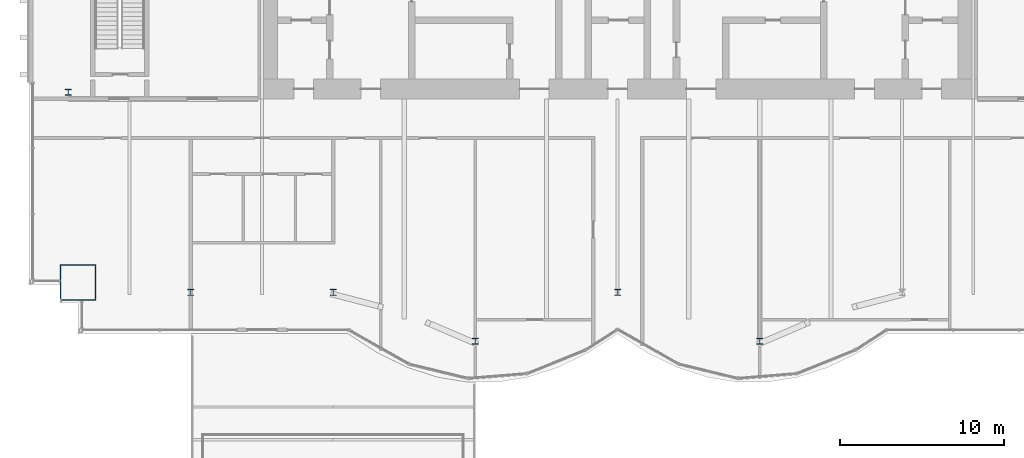
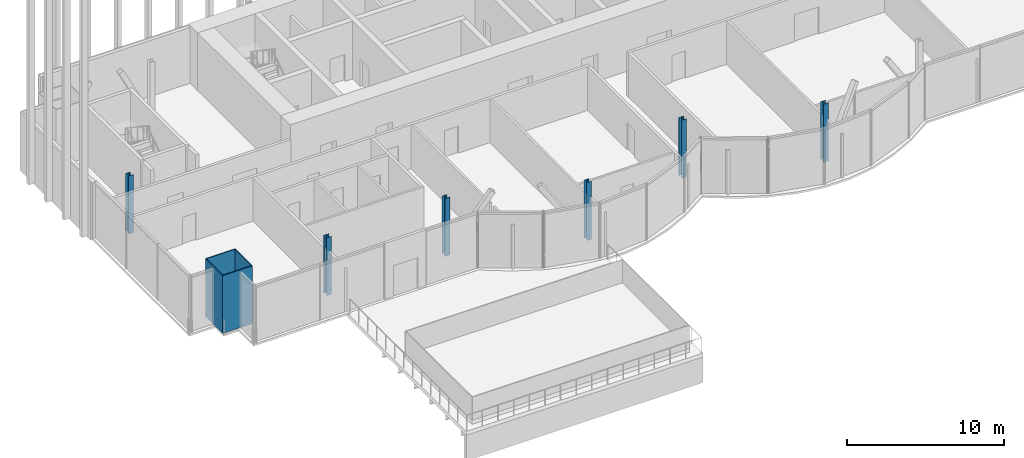
# One storey, part 1 of 22: 7 columns.
"""IFC4 building model written with IfcOpenShell, lengths in metres."""

import ifcopenshell
import ifcopenshell.guid

model = None  # the IFC model being written
_history = None  # IfcOwnerHistory: only IFC2X3 demands one
_inside = {}  # id of a spatial element -> (the spatial element, [elements in it])
_under = {}  # id of a project, library or spatial element -> (it, [spatial elements below it])
_declared = {}  # id of a project -> (the project, [libraries it declares])
_typed = {}  # id of a type object -> (the type object, [elements of that type])
_made_of = {}  # id of a material, layer set ... -> (it, [elements and type objects made of it])


def new_model(schema):
    """Start an empty IFC model of exactly this schema.

    Asked for "IFC4X3", IfcOpenShell would pick the latest addendum, in which some entities
    have other attributes; the version numbers below select the first issue.
    IFC2X3 requires an IfcOwnerHistory on every rooted entity: one is made here for all.
    """
    global model, _history
    if schema == "IFC4X3":
        model = ifcopenshell.file(schema_version=(4, 3, 0, 0))
    else:
        model = ifcopenshell.file(schema=schema)
    _inside.clear()
    _under.clear()
    _declared.clear()
    _typed.clear()
    _made_of.clear()
    _history = None
    if model.schema == "IFC2X3":
        org = make("IfcOrganization", Name="unknown")
        user = make(
            "IfcPersonAndOrganization",
            ThePerson=make("IfcPerson", FamilyName="unknown"),
            TheOrganization=org,
        )
        app = make(
            "IfcApplication",
            ApplicationDeveloper=org,
            Version="unknown",
            ApplicationFullName="unknown",
            ApplicationIdentifier="unknown",
        )
        _history = make(
            "IfcOwnerHistory",
            OwningUser=user,
            OwningApplication=app,
            ChangeAction="ADDED",
            CreationDate=0,
        )
    return model


def make(cls, **values):
    """One entity of the class cls with the attributes given. An attribute that is None is left unset."""
    return model.create_entity(
        cls, **{name: value for name, value in values.items() if value is not None}
    )


def rooted(cls, **values):
    """An entity with a GlobalId (a new one), such as an element, a storey or a relation."""
    return make(cls, GlobalId=ifcopenshell.guid.new(), OwnerHistory=_history, **values)


def si_unit(unit_type, name, prefix=None):
    """IfcSIUnit, for example si_unit("LENGTHUNIT", "METRE", prefix="MILLI")."""
    return make("IfcSIUnit", UnitType=unit_type, Prefix=prefix, Name=name)


def assignment(units):
    """IfcUnitAssignment: the units of a project."""
    return None if units is None else make("IfcUnitAssignment", Units=units)


def point(xyz):
    """IfcCartesianPoint."""
    return None if xyz is None else make("IfcCartesianPoint", Coordinates=xyz)


def direction(xyz):
    """IfcDirection."""
    return None if xyz is None else make("IfcDirection", DirectionRatios=xyz)


def frame(location, z_axis=None, x_axis=None):
    """IfcAxis2Placement3D, a coordinate frame: its origin and axes. An axis left out is left unset."""
    return make(
        "IfcAxis2Placement3D",
        Location=point(location),
        Axis=direction(z_axis),
        RefDirection=direction(x_axis),
    )


def frame_2d(location, x_axis=None):
    """IfcAxis2Placement2D, a coordinate frame in the plane: its origin and x axis."""
    return make(
        "IfcAxis2Placement2D", Location=point(location), RefDirection=direction(x_axis)
    )


def origin():
    """The frame at (0, 0, 0) with its axes left unset."""
    return frame((0.0, 0.0, 0.0))


def origin_2d():
    """The frame at (0, 0) in the plane with its x axis left unset."""
    return frame_2d((0.0, 0.0))


def place(relative_to, where):
    """IfcLocalPlacement: puts the frame where relative to a parent placement (None: the world)."""
    return make(
        "IfcLocalPlacement", PlacementRelTo=relative_to, RelativePlacement=where
    )


def context(
    kind, dimensions, precision=None, world=None, true_north=None, identifier=None
):
    """IfcGeometricRepresentationContext, for example the 3D "Model" context."""
    return make(
        "IfcGeometricRepresentationContext",
        ContextIdentifier=identifier,
        ContextType=kind,
        CoordinateSpaceDimension=dimensions,
        Precision=precision,
        WorldCoordinateSystem=world,
        TrueNorth=true_north,
    )


def subcontext(parent, identifier, kind, view, scale=None):
    """IfcGeometricRepresentationSubContext, for example "Body" below "Model"."""
    return make(
        "IfcGeometricRepresentationSubContext",
        ContextIdentifier=identifier,
        ContextType=kind,
        ParentContext=parent,
        TargetScale=scale,
        TargetView=view,
    )


def project(units=None, contexts=None):
    """IfcProject with its units and contexts."""
    return rooted(
        "IfcProject",
        Name="project",
        RepresentationContexts=contexts,
        UnitsInContext=assignment(units),
    )


def spatial(cls, under=None, at=None, **own):
    """A site, building, storey or space (cls), placed at a placement, below another one or the project."""
    s = rooted(cls, ObjectPlacement=at, **own)
    if under is not None:
        _under.setdefault(under.id(), (under, []))[1].append(s)
    return s


def profile(cls, at=None, kind="AREA", **sizes):
    """A parametric profile (cls). Its sizes go by their IFC names, for example OverallWidth=200.0."""
    return make(cls, ProfileType=kind, Position=at, **sizes)


def hollow_rectangle(**sizes):
    """IfcRectangleHollowProfileDef."""
    return profile("IfcRectangleHollowProfileDef", **sizes)


def i_section(**sizes):
    """IfcIShapeProfileDef."""
    return profile("IfcIShapeProfileDef", **sizes)


def extrude(swept, where, along, depth):
    """IfcExtrudedAreaSolid: the profile swept, set in the frame where, extruded along a direction by depth."""
    return make(
        "IfcExtrudedAreaSolid",
        SweptArea=swept,
        Position=where,
        ExtrudedDirection=direction(along),
        Depth=depth,
    )


def shape(context_of_items, identifier, shape_type, items):
    """IfcShapeRepresentation: the items that make up one representation, for example the "Body"."""
    return make(
        "IfcShapeRepresentation",
        ContextOfItems=context_of_items,
        RepresentationIdentifier=identifier,
        RepresentationType=shape_type,
        Items=items,
    )


def material(Name=None, Category=None):
    """IfcMaterial."""
    return make("IfcMaterial", Name=Name, Category=Category)


def material_profile(
    of_material, cross_section, Name=None, Category=None, Priority=None
):
    """IfcMaterialProfile: a cross section and its material."""
    return make(
        "IfcMaterialProfile",
        Name=Name,
        Material=of_material,
        Profile=cross_section,
        Priority=Priority,
        Category=Category,
    )


def profile_set(profiles, Name=None, composite=None):
    """IfcMaterialProfileSet."""
    return make(
        "IfcMaterialProfileSet",
        Name=Name,
        MaterialProfiles=profiles,
        CompositeProfile=composite,
    )


def made_of(thing, what):
    """Note that an element or type object is made of a material, layer set ...; save() writes the relation."""
    if what is not None:
        _made_of.setdefault(what.id(), (what, []))[1].append(thing)
    return thing


def type_object(cls, material=None, **own):
    """A type object (cls), such as IfcWallType, which elements share."""
    return made_of(rooted(cls, **own), material)


def element(
    cls,
    number,
    at=None,
    inside=None,
    cuts=None,
    type_object=None,
    material=None,
    context=None,
    identifier="Body",
    shape_type=None,
    held_by="IfcProductDefinitionShape",
    body=None,
    shapes=None,
    **own,
):
    """One element of the class cls, such as IfcWall. Its Tag is "e" and its number.

    at: its placement. inside: the storey or other place that contains it. cuts: it is an
    opening in that element (IfcRelVoidsElement). A single representation is given by context,
    identifier, shape_type and body (its items); several are given by shapes. held_by: the class
    of the entity that holds the representations. save() writes the other relations.
    """
    e = rooted(cls, Tag="e%d" % number, ObjectPlacement=at, **own)
    if body is not None:
        shapes = [shape(context, identifier, shape_type, body)]
    if shapes is not None:
        e.Representation = make(held_by, Representations=shapes)
    if inside is not None:
        _inside.setdefault(inside.id(), (inside, []))[1].append(e)
    if cuts is not None:
        rooted(
            "IfcRelVoidsElement", RelatingBuildingElement=cuts, RelatedOpeningElement=e
        )
    if type_object is not None:
        _typed.setdefault(type_object.id(), (type_object, []))[1].append(e)
    return made_of(e, material)


def aggregate(whole, parts):
    """IfcRelAggregates: a whole, such as a stair, and the parts it consists of."""
    return rooted("IfcRelAggregates", RelatingObject=whole, RelatedObjects=parts)


def save(model, path):
    """Write the relations noted so far, then the file.

    IfcRelAggregates (storeys below a building ...), IfcRelContainedInSpatialStructure (elements
    in a storey), IfcRelDefinesByType, IfcRelAssociatesMaterial and IfcRelDeclares: one each for
    every whole, place, type object, material and project.
    """
    for whole, parts in _under.values():
        aggregate(whole, parts)
    for where, things in _inside.values():
        rooted(
            "IfcRelContainedInSpatialStructure",
            RelatedElements=things,
            RelatingStructure=where,
        )
    for kind, things in _typed.values():
        rooted("IfcRelDefinesByType", RelatedObjects=things, RelatingType=kind)
    for what, things in _made_of.values():
        rooted("IfcRelAssociatesMaterial", RelatedObjects=things, RelatingMaterial=what)
    for by, libraries in _declared.values():
        rooted("IfcRelDeclares", RelatingContext=by, RelatedDefinitions=libraries)
    model.write(path)


model = new_model("IFC4")

# Units and contexts
model_context = context("Model", 3, precision=1e-05, world=origin(), true_north=direction((0.0, 1.0)))
body_context = subcontext(model_context, "Body", "Model", "MODEL_VIEW")
ifc_project = project(units=[si_unit("LENGTHUNIT", "METRE"), si_unit("AREAUNIT", "SQUARE_METRE"), si_unit("VOLUMEUNIT", "CUBIC_METRE"), si_unit("PLANEANGLEUNIT", "RADIAN"), si_unit("MASSUNIT", "GRAM", prefix="KILO")], contexts=[model_context])

# Site, building, storey
site_placement = place(None, origin())
site = spatial("IfcSite", under=ifc_project, at=site_placement, CompositionType="ELEMENT")
building_placement = place(site_placement, origin())
building = spatial("IfcBuilding", under=site, at=building_placement, Name="Bicima Exchange Tower", CompositionType="ELEMENT")
storey_placement = place(building_placement, frame((0.0, 0.0, 293.0)))
storey = spatial("IfcBuildingStorey", under=building, at=storey_placement, Name="L66", CompositionType="ELEMENT", Elevation=293.0)

# Columns
ifc_material_1 = material(Name="Steel ASTM A572 Gr 50", Category="steel")
ifc_material_profile_1 = material_profile(ifc_material_1, hollow_rectangle(XDim=2.199951171875, YDim=2.199951171875, WallThickness=0.06005859375, at=origin_2d()))
ifc_profile_set_1 = profile_set([ifc_material_profile_1], Name="Steel ASTM A572 Gr 50")
column_type_1 = type_object("IfcColumnType", Name="Mega column BOX 2200x2200x60", PredefinedType="COLUMN", material=ifc_profile_set_1)
column_placement = place(storey_placement, frame((-33.0, -24.238037109375, 0.0), z_axis=(0.0, 0.0, 1.0), x_axis=(1.0, 0.0, 0.0)))
element("IfcColumn", 1, at=column_placement, inside=storey, type_object=column_type_1, Name="Mega column mega-33.0f", PredefinedType="COLUMN", context=body_context, shape_type="SweptSolid", body=[
    extrude(hollow_rectangle(XDim=2.199951171875, YDim=2.199951171875, WallThickness=0.06005859375, at=origin_2d()), origin(), (0.0, 0.0, 1.0), 4.5),
])
ifc_material_2 = material(Name="Steel ASTM A992 Gr 50", Category="steel")
ifc_material_profile_2 = material_profile(ifc_material_2, i_section(OverallWidth=0.368408203125, OverallDepth=0.355712890625, WebThickness=0.01123046875, FlangeThickness=0.01806640625, at=origin_2d()))
ifc_profile_set_2 = profile_set([ifc_material_profile_2], Name="Steel ASTM A992 Gr 50")
column_type_2 = type_object("IfcColumnType", Name="Perimeter column W14x90", PredefinedType="COLUMN", material=ifc_profile_set_2)
for number, where, z_axis, x_axis, name in (
    (2, (-26.10009765625, -24.837890625, 0.0), (0.0, 0.0, 1.0), (1.0, 0.0, 0.0), "Perimeter column grav-26.1f"),
    (3, (-17.39990234375, -24.837890625, 0.0), (0.0, 0.0, 1.0), (1.0, 0.0, 0.0), "Perimeter column grav-17.4f"),
    (4, (-8.699951171875, -27.8291015625, 0.0), (0.0, 0.0, 1.0), (1.0, 0.0, 0.0), "Perimeter column grav-8.7f"),
    (5, (0.0, -24.837890625, 0.0), (0.0, 0.0, 1.0), (1.0, 0.0, 0.0), "Perimeter column grav-0.0f"),
    (6, (8.699951171875, -27.8291015625, 0.0), (0.0, 0.0, 1.0), (1.0, 0.0, 0.0), "Perimeter column grav+8.7f"),
    (7, (-33.60009765625, -12.60009765625, 0.0), (0.0, 0.0, 1.0), (1.0, 0.0, 0.0), "End column end-33.6e"),
):
    element("IfcColumn", number, at=place(storey_placement, frame(where, z_axis=z_axis, x_axis=x_axis)), inside=storey, type_object=column_type_2, Name=name, PredefinedType="COLUMN", context=body_context, shape_type="SweptSolid", body=[
        extrude(i_section(OverallWidth=0.368408203125, OverallDepth=0.355712890625, WebThickness=0.01123046875, FlangeThickness=0.01806640625, at=origin_2d()), origin(), (0.0, 0.0, 1.0), 4.5),
    ])

save(model, "model.ifc")
